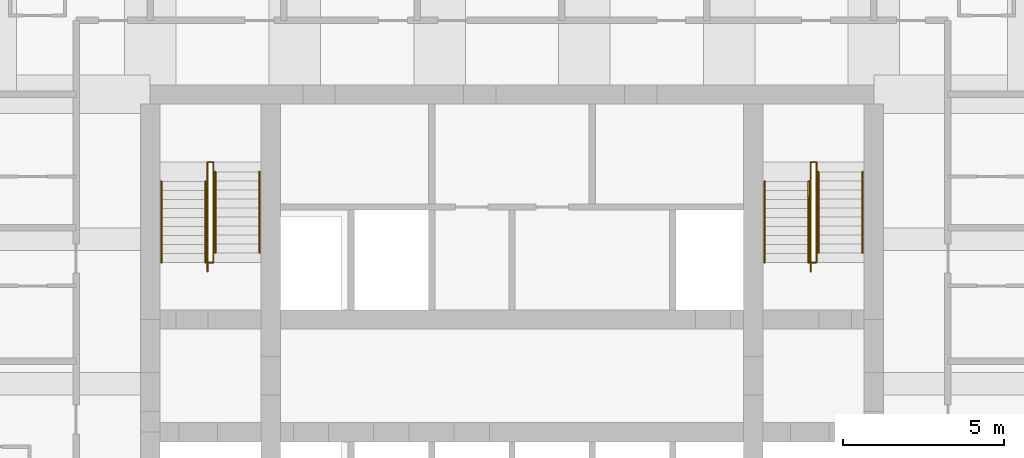
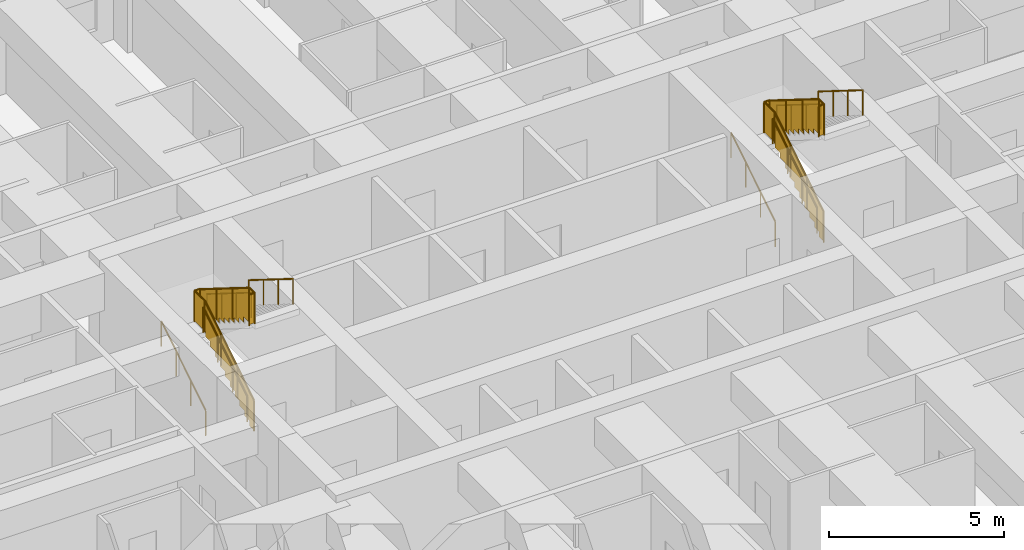
# One storey, part 8 of 8: 12 railings.
"""IFC4 building model written with IfcOpenShell, lengths in metres."""

from ifc_helpers import new_model, si_unit, direction, frame, origin, origin_2d, place, context, subcontext, project, spatial, polyline, circle, outline, extrude, material, type_object, element, save


model = new_model("IFC4")

# Units and contexts
model_context = context("Model", 3, precision=1e-05, world=origin(), true_north=direction((0.0, 1.0)))
body_context = subcontext(model_context, "Body", "Model", "MODEL_VIEW")
ifc_project = project(units=[si_unit("LENGTHUNIT", "METRE"), si_unit("AREAUNIT", "SQUARE_METRE"), si_unit("VOLUMEUNIT", "CUBIC_METRE"), si_unit("PLANEANGLEUNIT", "RADIAN"), si_unit("MASSUNIT", "GRAM", prefix="KILO")], contexts=[model_context])

# Site, building, storey
site_placement = place(None, origin())
site = spatial("IfcSite", under=ifc_project, at=site_placement, CompositionType="ELEMENT")
building_placement = place(site_placement, origin())
building = spatial("IfcBuilding", under=site, at=building_placement, Name="Kilele Tower Hotel", CompositionType="ELEMENT")
storey_placement = place(building_placement, frame((0.0, 0.0, 47.199951171875)))
storey = spatial("IfcBuildingStorey", under=building, at=storey_placement, Name="L10", CompositionType="ELEMENT", Elevation=47.199951171875)

# Railings
ifc_material_1 = material(Name="Steel handrail", Category="steel")
railing_type_1 = type_object("IfcRailingType", Name="Handrail 900", PredefinedType="HANDRAIL", material=ifc_material_1)
for number, where, name in (
    (1, (13.85009765625, 21.77490234375, 0.175048828125), "Handrail ST1 flight 1"),
    (2, (15.22509765625, 21.77490234375, 0.175048828125), "Handrail ST1 flight 1"),
):
    element("IfcRailing", number, at=place(storey_placement, frame(where)), inside=storey, type_object=railing_type_1, Name=name, PredefinedType="HANDRAIL", context=body_context, shape_type="SweptSolid", body=[
        extrude(circle(Radius=0.02490234375, at=origin_2d()), frame((0.0, 0.0, 0.875), z_axis=(0.0, 0.848007534815, 0.529984170421), x_axis=(-1.0, 0.0, 0.0)), (0.0, 0.0, 1.0), 2.9716796875),
        extrude(circle(Radius=0.02001953125, at=origin_2d()), origin(), (0.0, 0.0, 1.0), 0.849853515625),
        extrude(circle(Radius=0.02001953125, at=origin_2d()), frame((0.0, 0.840087890625, 0.52490234375)), (0.0, 0.0, 1.0), 0.849853515625),
        extrude(circle(Radius=0.02001953125, at=origin_2d()), frame((0.0, 1.679931640625, 1.050048828125)), (0.0, 0.0, 1.0), 0.849853515625),
        extrude(circle(Radius=0.02001953125, at=origin_2d()), frame((0.0, 2.52001953125, 1.574951171875)), (0.0, 0.0, 1.0), 0.849853515625),
    ])
for number, where, name in (
    (3, (15.52490234375, 24.594970703125, 1.925048828125), "Handrail ST1 flight 2"),
    (4, (16.89990234375, 24.594970703125, 1.925048828125), "Handrail ST1 flight 2"),
):
    element("IfcRailing", number, at=place(storey_placement, frame(where)), inside=storey, type_object=railing_type_1, Name=name, PredefinedType="HANDRAIL", context=body_context, shape_type="SweptSolid", body=[
        extrude(circle(Radius=0.02490234375, at=origin_2d()), frame((0.0, 0.0, 0.875), z_axis=(0.0, -0.848007534815, 0.529984170421), x_axis=(1.0, 0.0, 0.0)), (0.0, 0.0, 1.0), 2.9716796875),
        extrude(circle(Radius=0.02001953125, at=origin_2d()), origin(), (0.0, 0.0, 1.0), 0.849853515625),
        extrude(circle(Radius=0.02001953125, at=origin_2d()), frame((0.0, -0.840087890625, 0.52490234375)), (0.0, 0.0, 1.0), 0.849853515625),
        extrude(circle(Radius=0.02001953125, at=origin_2d()), frame((0.0, -1.679931640625, 1.050048828125)), (0.0, 0.0, 1.0), 0.849853515625),
        extrude(circle(Radius=0.02001953125, at=origin_2d()), frame((0.0, -2.52001953125, 1.574951171875)), (0.0, 0.0, 1.0), 0.849853515625),
    ])
for number, where, name in (
    (5, (32.60009765625, 21.77490234375, 0.175048828125), "Handrail ST2 flight 1"),
    (6, (33.97509765625, 21.77490234375, 0.175048828125), "Handrail ST2 flight 1"),
):
    element("IfcRailing", number, at=place(storey_placement, frame(where)), inside=storey, type_object=railing_type_1, Name=name, PredefinedType="HANDRAIL", context=body_context, shape_type="SweptSolid", body=[
        extrude(circle(Radius=0.02490234375, at=origin_2d()), frame((0.0, 0.0, 0.875), z_axis=(0.0, 0.848007534815, 0.529984170421), x_axis=(-1.0, 0.0, 0.0)), (0.0, 0.0, 1.0), 2.9716796875),
        extrude(circle(Radius=0.02001953125, at=origin_2d()), origin(), (0.0, 0.0, 1.0), 0.849853515625),
        extrude(circle(Radius=0.02001953125, at=origin_2d()), frame((0.0, 0.840087890625, 0.52490234375)), (0.0, 0.0, 1.0), 0.849853515625),
        extrude(circle(Radius=0.02001953125, at=origin_2d()), frame((0.0, 1.679931640625, 1.050048828125)), (0.0, 0.0, 1.0), 0.849853515625),
        extrude(circle(Radius=0.02001953125, at=origin_2d()), frame((0.0, 2.52001953125, 1.574951171875)), (0.0, 0.0, 1.0), 0.849853515625),
    ])
for number, where, name in (
    (7, (34.27490234375, 24.594970703125, 1.925048828125), "Handrail ST2 flight 2"),
    (8, (35.64990234375, 24.594970703125, 1.925048828125), "Handrail ST2 flight 2"),
):
    element("IfcRailing", number, at=place(storey_placement, frame(where)), inside=storey, type_object=railing_type_1, Name=name, PredefinedType="HANDRAIL", context=body_context, shape_type="SweptSolid", body=[
        extrude(circle(Radius=0.02490234375, at=origin_2d()), frame((0.0, 0.0, 0.875), z_axis=(0.0, -0.848007534815, 0.529984170421), x_axis=(1.0, 0.0, 0.0)), (0.0, 0.0, 1.0), 2.9716796875),
        extrude(circle(Radius=0.02001953125, at=origin_2d()), origin(), (0.0, 0.0, 1.0), 0.849853515625),
        extrude(circle(Radius=0.02001953125, at=origin_2d()), frame((0.0, -0.840087890625, 0.52490234375)), (0.0, 0.0, 1.0), 0.849853515625),
        extrude(circle(Radius=0.02001953125, at=origin_2d()), frame((0.0, -1.679931640625, 1.050048828125)), (0.0, 0.0, 1.0), 0.849853515625),
        extrude(circle(Radius=0.02001953125, at=origin_2d()), frame((0.0, -2.52001953125, 1.574951171875)), (0.0, 0.0, 1.0), 0.849853515625),
    ])
ifc_material_2 = material(Name="Steel guard", Category="steel")
railing_type_2 = type_object("IfcRailingType", Name="Stair guard 1100", PredefinedType="GUARDRAIL", material=ifc_material_2)
railing_1_placement = place(storey_placement, frame((15.284912109375, 21.4951171875, 0.0)))
element("IfcRailing", 9, at=railing_1_placement, inside=storey, type_object=railing_type_2, Name="Stair well guard ST1 flight 1", PredefinedType="GUARDRAIL", context=body_context, shape_type="SweptSolid", body=[
    extrude(circle(Radius=0.02490234375, at=origin_2d()), frame((0.0, 0.0, 1.0751953125), z_axis=(0.0, 0.847981687118, 0.530025526095), x_axis=(-1.0, 0.0, 0.0)), (0.0, 0.0, 1.0), 3.3017578125),
    extrude(circle(Radius=0.02490234375, at=origin_2d()), frame((0.0, 2.7998046875, 2.8251953125), z_axis=(0.0, 1.0, 0.0), x_axis=(-1.0, 0.0, 0.0)), (0.0, 0.0, 1.0), 0.60009765625),
    extrude(circle(Radius=0.02490234375, at=origin_2d()), frame((0.0, 3.39990234375, 2.8251953125), z_axis=(1.0, 0.0, 0.0), x_axis=(0.0, 1.0, 0.0)), (0.0, 0.0, 1.0), 0.18017578125),
    extrude(circle(Radius=0.02490234375, at=origin_2d()), origin(), (0.0, 0.0, 1.0), 1.050048828125),
    extrude(circle(Radius=0.02490234375, at=origin_2d()), frame((0.0, 0.933349609375, 0.583251953125)), (0.0, 0.0, 1.0), 1.050048828125),
    extrude(circle(Radius=0.02490234375, at=origin_2d()), frame((0.0, 1.866455078125, 1.166748046875)), (0.0, 0.0, 1.0), 1.050048828125),
    extrude(circle(Radius=0.02490234375, at=origin_2d()), frame((0.0, 2.7998046875, 1.75)), (0.0, 0.0, 1.0), 1.050048828125),
    extrude(circle(Radius=0.02490234375, at=origin_2d()), frame((0.0, 3.39990234375, 1.75)), (0.0, 0.0, 1.0), 1.050048828125),
    extrude(circle(Radius=0.02490234375, at=origin_2d()), frame((0.18017578125, 3.39990234375, 1.75)), (0.0, 0.0, 1.0), 1.050048828125),
    extrude(outline(polyline([(0.012451171875, 0.030029296875), (0.25, 0.030029296875), (0.25, 0.205078125), (0.530029296875, 0.205078125), (0.530029296875, 0.380126953125), (0.809814453125, 0.380126953125), (0.809814453125, 0.554931640625), (1.08984375, 0.554931640625), (1.08984375, 0.72998046875), (1.369873046875, 0.72998046875), (1.369873046875, 0.905029296875), (1.64990234375, 0.905029296875), (1.64990234375, 1.080078125), (1.929931640625, 1.080078125), (1.929931640625, 1.255126953125), (2.209716796875, 1.255126953125), (2.209716796875, 1.429931640625), (2.48974609375, 1.429931640625), (2.48974609375, 1.60498046875), (2.769775390625, 1.60498046875), (2.769775390625, 1.780029296875), (2.787353515625, 1.780029296875), (2.787353515625, 2.787841796875), (0.012451171875, 1.053466796875), (0.012451171875, 0.030029296875)])), frame((-0.005859375, 0.0, 0.0), z_axis=(1.0, 0.0, 0.0), x_axis=(0.0, 1.0, 0.0)), (0.0, 0.0, 1.0), 0.011962890625),
    extrude(outline(polyline([(0.012451171875, 0.030029296875), (0.587646484375, 0.030029296875), (0.587646484375, 1.050048828125), (0.012451171875, 1.050048828125), (0.012451171875, 0.030029296875)])), frame((-0.005859375, 2.7998046875, 1.75), z_axis=(1.0, 0.0, 0.0), x_axis=(0.0, 1.0, 0.0)), (0.0, 0.0, 1.0), 0.011962890625),
    extrude(outline(polyline([(0.012451171875, 0.030029296875), (0.18017578125, 0.030029296875), (0.18017578125, 1.050048828125), (0.012451171875, 1.050048828125), (0.012451171875, 0.030029296875)])), frame((0.0, 3.40576171875, 1.75), z_axis=(0.0, -1.0, 0.0), x_axis=(1.0, 0.0, 0.0)), (0.0, 0.0, 1.0), 0.011962890625),
])
railing_2_placement = place(storey_placement, frame((15.465087890625, 24.89501953125, 1.75)))
element("IfcRailing", 10, at=railing_2_placement, inside=storey, type_object=railing_type_2, Name="Stair well guard ST1 flight 2", PredefinedType="GUARDRAIL", context=body_context, shape_type="SweptSolid", body=[
    extrude(circle(Radius=0.02490234375, at=origin_2d()), frame((0.0, 0.0, 1.0751953125), z_axis=(0.0, -1.0, 0.0), x_axis=(1.0, 0.0, 0.0)), (0.0, 0.0, 1.0), 0.02001953125),
    extrude(circle(Radius=0.02490234375, at=origin_2d()), frame((0.0, -0.02001953125, 1.0751953125), z_axis=(0.0, -0.848002457836, 0.529992293815), x_axis=(1.0, 0.0, 0.0)), (0.0, 0.0, 1.0), 3.302001953125),
    extrude(circle(Radius=0.02490234375, at=origin_2d()), frame((0.0, -2.820068359375, 2.8251953125), z_axis=(0.0, -1.0, 0.0), x_axis=(1.0, 0.0, 0.0)), (0.0, 0.0, 1.0), 0.300048828125),
    extrude(circle(Radius=0.02490234375, at=origin_2d()), frame((0.0, -3.1201171875, 2.8251953125), z_axis=(-1.0, 0.0, 0.0), x_axis=(0.0, -1.0, 0.0)), (0.0, 0.0, 1.0), 0.18017578125),
    extrude(circle(Radius=0.02490234375, at=origin_2d()), origin(), (0.0, 0.0, 1.0), 1.050048828125),
    extrude(circle(Radius=0.02490234375, at=origin_2d()), frame((0.0, -0.02001953125, 0.0)), (0.0, 0.0, 1.0), 1.050048828125),
    extrude(circle(Radius=0.02490234375, at=origin_2d()), frame((0.0, -0.953369140625, 0.583251953125)), (0.0, 0.0, 1.0), 1.050048828125),
    extrude(circle(Radius=0.02490234375, at=origin_2d()), frame((0.0, -1.88671875, 1.166748046875)), (0.0, 0.0, 1.0), 1.050048828125),
    extrude(circle(Radius=0.02490234375, at=origin_2d()), frame((0.0, -2.820068359375, 1.75)), (0.0, 0.0, 1.0), 1.050048828125),
    extrude(circle(Radius=0.02490234375, at=origin_2d()), frame((0.0, -3.1201171875, 1.75)), (0.0, 0.0, 1.0), 1.050048828125),
    extrude(circle(Radius=0.02490234375, at=origin_2d()), frame((-0.18017578125, -3.1201171875, 1.75)), (0.0, 0.0, 1.0), 1.050048828125),
    extrude(outline(polyline([(0.012451171875, 0.030029296875), (0.25, 0.030029296875), (0.25, 0.205078125), (0.530029296875, 0.205078125), (0.530029296875, 0.380126953125), (0.81005859375, 0.380126953125), (0.81005859375, 0.554931640625), (1.090087890625, 0.554931640625), (1.090087890625, 0.72998046875), (1.3701171875, 0.72998046875), (1.3701171875, 0.905029296875), (1.64990234375, 0.905029296875), (1.64990234375, 1.080078125), (1.929931640625, 1.080078125), (1.929931640625, 1.255126953125), (2.2099609375, 1.255126953125), (2.2099609375, 1.429931640625), (2.489990234375, 1.429931640625), (2.489990234375, 1.60498046875), (2.77001953125, 1.60498046875), (2.77001953125, 1.780029296875), (2.78759765625, 1.780029296875), (2.78759765625, 2.787841796875), (0.012451171875, 1.053466796875), (0.012451171875, 0.030029296875)])), frame((0.005859375, -0.02001953125, 0.0), z_axis=(-1.0, 0.0, 0.0), x_axis=(0.0, -1.0, 0.0)), (0.0, 0.0, 1.0), 0.011962890625),
    extrude(outline(polyline([(0.012451171875, 0.030029296875), (0.28759765625, 0.030029296875), (0.28759765625, 1.050048828125), (0.012451171875, 1.050048828125), (0.012451171875, 0.030029296875)])), frame((0.005859375, -2.820068359375, 1.75), z_axis=(-1.0, 0.0, 0.0), x_axis=(0.0, -1.0, 0.0)), (0.0, 0.0, 1.0), 0.011962890625),
    extrude(outline(polyline([(0.012451171875, 0.030029296875), (0.18017578125, 0.030029296875), (0.18017578125, 1.050048828125), (0.012451171875, 1.050048828125), (0.012451171875, 0.030029296875)])), frame((0.0, -3.1259765625, 1.75), z_axis=(0.0, 1.0, 0.0), x_axis=(-1.0, 0.0, 0.0)), (0.0, 0.0, 1.0), 0.011962890625),
])
railing_3_placement = place(storey_placement, frame((34.034912109375, 21.4951171875, 0.0)))
element("IfcRailing", 11, at=railing_3_placement, inside=storey, type_object=railing_type_2, Name="Stair well guard ST2 flight 1", PredefinedType="GUARDRAIL", context=body_context, shape_type="SweptSolid", body=[
    extrude(circle(Radius=0.02490234375, at=origin_2d()), frame((0.0, 0.0, 1.0751953125), z_axis=(0.0, 0.847981687118, 0.530025526095), x_axis=(-1.0, 0.0, 0.0)), (0.0, 0.0, 1.0), 3.3017578125),
    extrude(circle(Radius=0.02490234375, at=origin_2d()), frame((0.0, 2.7998046875, 2.8251953125), z_axis=(0.0, 1.0, 0.0), x_axis=(-1.0, 0.0, 0.0)), (0.0, 0.0, 1.0), 0.60009765625),
    extrude(circle(Radius=0.02490234375, at=origin_2d()), frame((0.0, 3.39990234375, 2.8251953125), z_axis=(1.0, 0.0, 0.0), x_axis=(0.0, 1.0, 0.0)), (0.0, 0.0, 1.0), 0.18017578125),
    extrude(circle(Radius=0.02490234375, at=origin_2d()), origin(), (0.0, 0.0, 1.0), 1.050048828125),
    extrude(circle(Radius=0.02490234375, at=origin_2d()), frame((0.0, 0.933349609375, 0.583251953125)), (0.0, 0.0, 1.0), 1.050048828125),
    extrude(circle(Radius=0.02490234375, at=origin_2d()), frame((0.0, 1.866455078125, 1.166748046875)), (0.0, 0.0, 1.0), 1.050048828125),
    extrude(circle(Radius=0.02490234375, at=origin_2d()), frame((0.0, 2.7998046875, 1.75)), (0.0, 0.0, 1.0), 1.050048828125),
    extrude(circle(Radius=0.02490234375, at=origin_2d()), frame((0.0, 3.39990234375, 1.75)), (0.0, 0.0, 1.0), 1.050048828125),
    extrude(circle(Radius=0.02490234375, at=origin_2d()), frame((0.18017578125, 3.39990234375, 1.75)), (0.0, 0.0, 1.0), 1.050048828125),
    extrude(outline(polyline([(0.012451171875, 0.030029296875), (0.25, 0.030029296875), (0.25, 0.205078125), (0.530029296875, 0.205078125), (0.530029296875, 0.380126953125), (0.809814453125, 0.380126953125), (0.809814453125, 0.554931640625), (1.08984375, 0.554931640625), (1.08984375, 0.72998046875), (1.369873046875, 0.72998046875), (1.369873046875, 0.905029296875), (1.64990234375, 0.905029296875), (1.64990234375, 1.080078125), (1.929931640625, 1.080078125), (1.929931640625, 1.255126953125), (2.209716796875, 1.255126953125), (2.209716796875, 1.429931640625), (2.48974609375, 1.429931640625), (2.48974609375, 1.60498046875), (2.769775390625, 1.60498046875), (2.769775390625, 1.780029296875), (2.787353515625, 1.780029296875), (2.787353515625, 2.787841796875), (0.012451171875, 1.053466796875), (0.012451171875, 0.030029296875)])), frame((-0.005859375, 0.0, 0.0), z_axis=(1.0, 0.0, 0.0), x_axis=(0.0, 1.0, 0.0)), (0.0, 0.0, 1.0), 0.011962890625),
    extrude(outline(polyline([(0.012451171875, 0.030029296875), (0.587646484375, 0.030029296875), (0.587646484375, 1.050048828125), (0.012451171875, 1.050048828125), (0.012451171875, 0.030029296875)])), frame((-0.005859375, 2.7998046875, 1.75), z_axis=(1.0, 0.0, 0.0), x_axis=(0.0, 1.0, 0.0)), (0.0, 0.0, 1.0), 0.011962890625),
    extrude(outline(polyline([(0.012451171875, 0.030029296875), (0.18017578125, 0.030029296875), (0.18017578125, 1.050048828125), (0.012451171875, 1.050048828125), (0.012451171875, 0.030029296875)])), frame((0.0, 3.40576171875, 1.75), z_axis=(0.0, -1.0, 0.0), x_axis=(1.0, 0.0, 0.0)), (0.0, 0.0, 1.0), 0.011962890625),
])
railing_4_placement = place(storey_placement, frame((34.215087890625, 24.89501953125, 1.75)))
element("IfcRailing", 12, at=railing_4_placement, inside=storey, type_object=railing_type_2, Name="Stair well guard ST2 flight 2", PredefinedType="GUARDRAIL", context=body_context, shape_type="SweptSolid", body=[
    extrude(circle(Radius=0.02490234375, at=origin_2d()), frame((0.0, 0.0, 1.0751953125), z_axis=(0.0, -1.0, 0.0), x_axis=(1.0, 0.0, 0.0)), (0.0, 0.0, 1.0), 0.02001953125),
    extrude(circle(Radius=0.02490234375, at=origin_2d()), frame((0.0, -0.02001953125, 1.0751953125), z_axis=(0.0, -0.848002457836, 0.529992293815), x_axis=(1.0, 0.0, 0.0)), (0.0, 0.0, 1.0), 3.302001953125),
    extrude(circle(Radius=0.02490234375, at=origin_2d()), frame((0.0, -2.820068359375, 2.8251953125), z_axis=(0.0, -1.0, 0.0), x_axis=(1.0, 0.0, 0.0)), (0.0, 0.0, 1.0), 0.300048828125),
    extrude(circle(Radius=0.02490234375, at=origin_2d()), frame((0.0, -3.1201171875, 2.8251953125), z_axis=(-1.0, 0.0, 0.0), x_axis=(0.0, -1.0, 0.0)), (0.0, 0.0, 1.0), 0.18017578125),
    extrude(circle(Radius=0.02490234375, at=origin_2d()), origin(), (0.0, 0.0, 1.0), 1.050048828125),
    extrude(circle(Radius=0.02490234375, at=origin_2d()), frame((0.0, -0.02001953125, 0.0)), (0.0, 0.0, 1.0), 1.050048828125),
    extrude(circle(Radius=0.02490234375, at=origin_2d()), frame((0.0, -0.953369140625, 0.583251953125)), (0.0, 0.0, 1.0), 1.050048828125),
    extrude(circle(Radius=0.02490234375, at=origin_2d()), frame((0.0, -1.88671875, 1.166748046875)), (0.0, 0.0, 1.0), 1.050048828125),
    extrude(circle(Radius=0.02490234375, at=origin_2d()), frame((0.0, -2.820068359375, 1.75)), (0.0, 0.0, 1.0), 1.050048828125),
    extrude(circle(Radius=0.02490234375, at=origin_2d()), frame((0.0, -3.1201171875, 1.75)), (0.0, 0.0, 1.0), 1.050048828125),
    extrude(circle(Radius=0.02490234375, at=origin_2d()), frame((-0.18017578125, -3.1201171875, 1.75)), (0.0, 0.0, 1.0), 1.050048828125),
    extrude(outline(polyline([(0.012451171875, 0.030029296875), (0.25, 0.030029296875), (0.25, 0.205078125), (0.530029296875, 0.205078125), (0.530029296875, 0.380126953125), (0.81005859375, 0.380126953125), (0.81005859375, 0.554931640625), (1.090087890625, 0.554931640625), (1.090087890625, 0.72998046875), (1.3701171875, 0.72998046875), (1.3701171875, 0.905029296875), (1.64990234375, 0.905029296875), (1.64990234375, 1.080078125), (1.929931640625, 1.080078125), (1.929931640625, 1.255126953125), (2.2099609375, 1.255126953125), (2.2099609375, 1.429931640625), (2.489990234375, 1.429931640625), (2.489990234375, 1.60498046875), (2.77001953125, 1.60498046875), (2.77001953125, 1.780029296875), (2.78759765625, 1.780029296875), (2.78759765625, 2.787841796875), (0.012451171875, 1.053466796875), (0.012451171875, 0.030029296875)])), frame((0.005859375, -0.02001953125, 0.0), z_axis=(-1.0, 0.0, 0.0), x_axis=(0.0, -1.0, 0.0)), (0.0, 0.0, 1.0), 0.011962890625),
    extrude(outline(polyline([(0.012451171875, 0.030029296875), (0.28759765625, 0.030029296875), (0.28759765625, 1.050048828125), (0.012451171875, 1.050048828125), (0.012451171875, 0.030029296875)])), frame((0.005859375, -2.820068359375, 1.75), z_axis=(-1.0, 0.0, 0.0), x_axis=(0.0, -1.0, 0.0)), (0.0, 0.0, 1.0), 0.011962890625),
    extrude(outline(polyline([(0.012451171875, 0.030029296875), (0.18017578125, 0.030029296875), (0.18017578125, 1.050048828125), (0.012451171875, 1.050048828125), (0.012451171875, 0.030029296875)])), frame((0.0, -3.1259765625, 1.75), z_axis=(0.0, 1.0, 0.0), x_axis=(-1.0, 0.0, 0.0)), (0.0, 0.0, 1.0), 0.011962890625),
])

save(model, "model.ifc")
